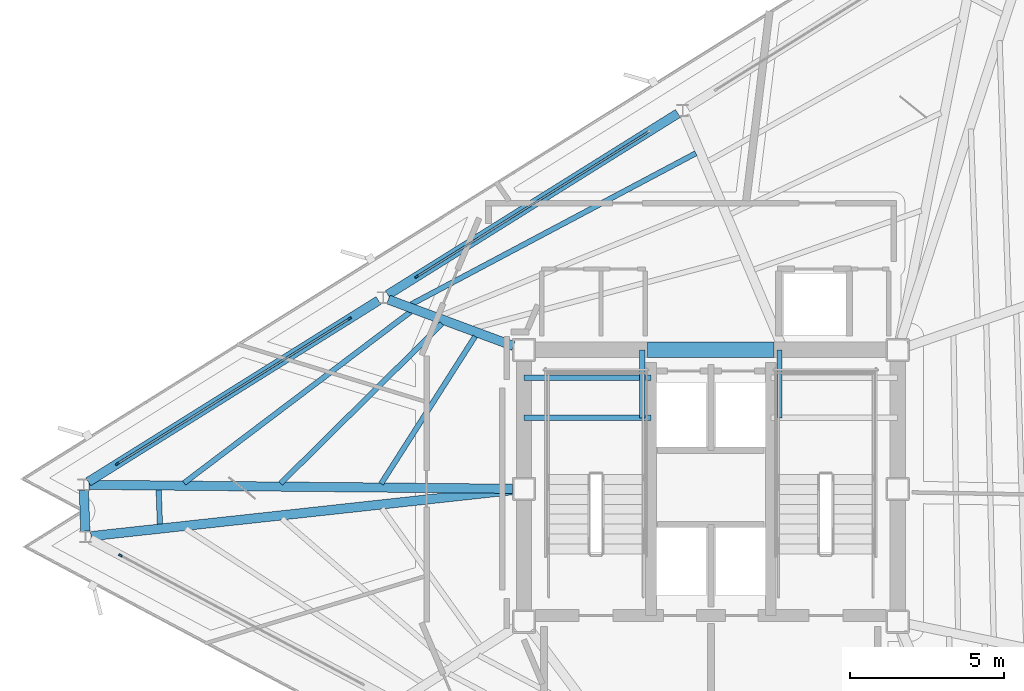
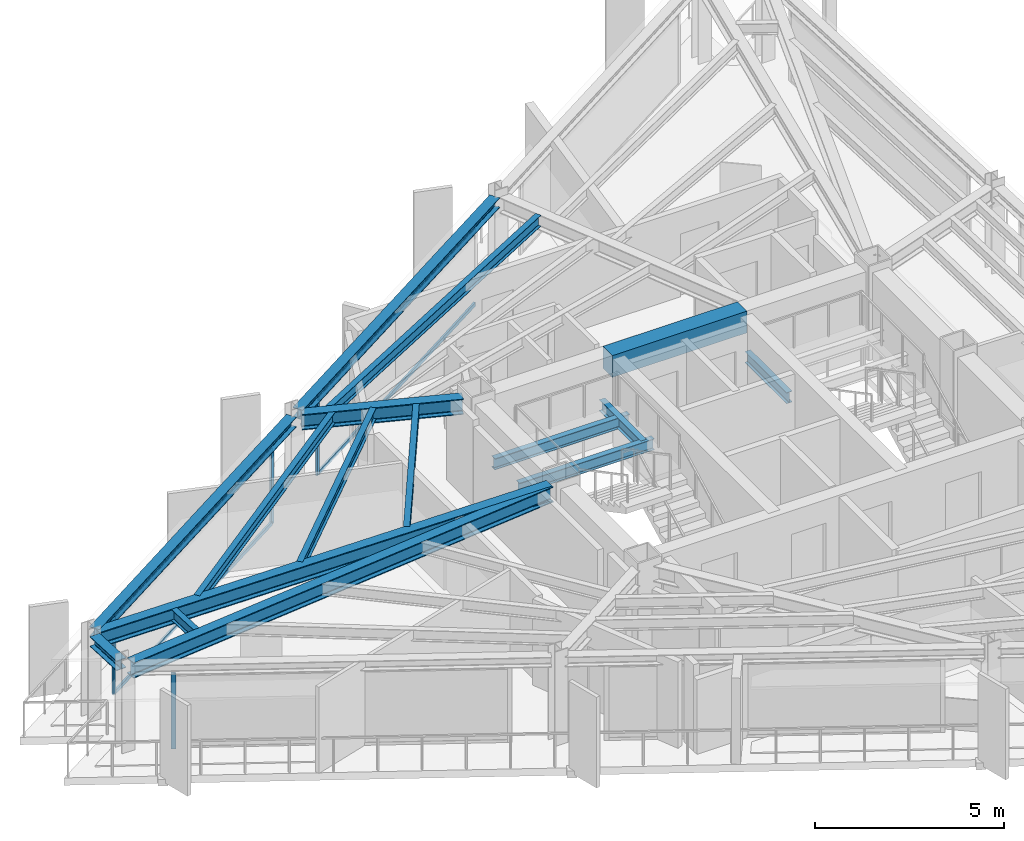
# One storey, part 4 of 13: 16 beams, 8 members, 3 elements without a shape of their own.
"""IFC4 building model written with IfcOpenShell, lengths in metres."""

from ifc_helpers import new_model, si_unit, direction, frame, origin, origin_2d, place, context, subcontext, project, spatial, rectangle, i_section, extrude, material, layer, layer_set, material_profile, profile_set, type_object, element, aggregate, save


model = new_model("IFC4")

# Units and contexts
model_context = context("Model", 3, precision=1e-05, world=origin(), true_north=direction((0.0, 1.0)))
body_context = subcontext(model_context, "Body", "Model", "MODEL_VIEW")
ifc_project = project(units=[si_unit("LENGTHUNIT", "METRE"), si_unit("AREAUNIT", "SQUARE_METRE"), si_unit("VOLUMEUNIT", "CUBIC_METRE"), si_unit("PLANEANGLEUNIT", "RADIAN"), si_unit("MASSUNIT", "GRAM", prefix="KILO")], contexts=[model_context])

# Site, building, storey
site_placement = place(None, origin())
site = spatial("IfcSite", under=ifc_project, at=site_placement, CompositionType="ELEMENT")
building_placement = place(site_placement, origin())
building = spatial("IfcBuilding", under=site, at=building_placement, Name="Rocaltana Carrier Exchange", CompositionType="ELEMENT")
storey_placement = place(building_placement, frame((0.0, 0.0, 208.800048828125)))
storey = spatial("IfcBuildingStorey", under=building, at=storey_placement, Name="L66", CompositionType="ELEMENT", Elevation=208.800048828125)

# Curtain wall, member
ifc_material_1 = material(Name="Aluminium 6063-T6", Category="aluminium")
ifc_layer = layer(ifc_material_1, 0.1201171875)
ifc_layer_set = layer_set([ifc_layer], Name="Aluminium 6063-T6")
curtain_wall_type = type_object("IfcCurtainWallType", Name="High-Altitude Thermal Curtain Wall CW-05", PredefinedType="NOTDEFINED", material=ifc_layer_set)
curtain_wall_1_placement = place(storey_placement, origin())
curtain_wall_1 = element("IfcCurtainWall", 1, at=curtain_wall_1_placement, inside=storey, type_object=curtain_wall_type, Name="L66 CW-05 Run CW-L66-F2S2", PredefinedType="NOTDEFINED")
ifc_material_2 = material(Name="Aluminium 6063-T6", Category="aluminium")
ifc_material_profile_1 = material_profile(ifc_material_2, rectangle(XDim=0.06005859375, YDim=0.1201171875, at=origin_2d()), Name="AL-60X120")
ifc_profile_set_1 = profile_set([ifc_material_profile_1], Name="Aluminium 6063-T6")
member_type_1 = type_object("IfcMemberType", Name="CW-05 Mullion AL-60X120", PredefinedType="MULLION", material=ifc_profile_set_1)
member_1_placement = place(storey_placement, frame((-9.52490234375, 6.870849609375, 0.0), z_axis=(0.0, 0.0, 1.0), x_axis=(0.529920452816, -0.848047353446, 0.0)))
member_1 = element("IfcMember", 2, at=member_1_placement, type_object=member_type_1, Name="CW-05 mullion 2", PredefinedType="MULLION", context=body_context, shape_type="SweptSolid", body=[
    extrude(rectangle(XDim=0.06005859375, YDim=0.1201171875, at=origin_2d()), origin(), (0.0, 0.0, 1.0), 2.447998046875),
])

# Curtain wall, members
curtain_wall_2_placement = place(storey_placement, origin())
curtain_wall_2 = element("IfcCurtainWall", 3, at=curtain_wall_2_placement, inside=storey, type_object=curtain_wall_type, Name="L66 CW-05 Run CW-L66-F2S3", PredefinedType="NOTDEFINED")
member_2_placement = place(storey_placement, frame((-11.696044921875, 5.514404296875, 0.0), z_axis=(0.0, 0.0, 1.0), x_axis=(0.529915422228, -0.848050496896, 0.0)))
member_2 = element("IfcMember", 4, at=member_2_placement, type_object=member_type_1, Name="CW-05 mullion 1", PredefinedType="MULLION", context=body_context, shape_type="SweptSolid", body=[
    extrude(rectangle(XDim=0.06005859375, YDim=0.1201171875, at=origin_2d()), origin(), (0.0, 0.0, 1.0), 2.447998046875),
])
member_3_placement = place(storey_placement, frame((-19.220947265625, 0.812255859375, 0.0), z_axis=(0.0, 0.0, 1.0), x_axis=(0.529915422228, -0.848050496896, 0.0)))
member_3 = element("IfcMember", 5, at=member_3_placement, type_object=member_type_1, Name="CW-05 mullion 2", PredefinedType="MULLION", context=body_context, shape_type="SweptSolid", body=[
    extrude(rectangle(XDim=0.06005859375, YDim=0.1201171875, at=origin_2d()), origin(), (0.0, 0.0, 1.0), 2.447998046875),
])

# Curtain wall, member
curtain_wall_3_placement = place(storey_placement, origin())
curtain_wall_3 = element("IfcCurtainWall", 6, at=curtain_wall_3_placement, inside=storey, type_object=curtain_wall_type, Name="L66 CW-05 Run CW-L66-F3S1", PredefinedType="NOTDEFINED")
member_4_placement = place(storey_placement, frame((-19.11767578125, -2.15087890625, 0.0), z_axis=(0.0, 0.0, 1.0), x_axis=(0.469483388841, 0.882941304732, 0.0)))
member_4 = element("IfcMember", 7, at=member_4_placement, type_object=member_type_1, Name="CW-05 mullion 1", PredefinedType="MULLION", context=body_context, shape_type="SweptSolid", body=[
    extrude(rectangle(XDim=0.06005859375, YDim=0.1201171875, at=origin_2d()), origin(), (0.0, 0.0, 1.0), 2.447998046875),
])
aggregate(curtain_wall_3, [member_4])

# Member
ifc_material_3 = material(Name="Aluminium 6063-T6", Category="aluminium")
ifc_material_profile_2 = material_profile(ifc_material_3, rectangle(XDim=0.06005859375, YDim=0.1201171875, at=origin_2d()), Name="AL-60X120")
ifc_profile_set_2 = profile_set([ifc_material_profile_2], Name="Aluminium 6063-T6")
member_type_2 = type_object("IfcMemberType", Name="CW-05 Transom AL-60X120", PredefinedType="USERDEFINED", material=ifc_profile_set_2)
member_5_placement = place(storey_placement, frame((-2.025390625, 11.55712890625, 0.030029296875), z_axis=(-0.848044988156, -0.529924238042, 0.0), x_axis=(0.529924238042, -0.848044988156, 0.0)))
member_5 = element("IfcMember", 8, at=member_5_placement, type_object=member_type_2, Name="CW-05 transom 1.1", ObjectType="TRANSOM", PredefinedType="USERDEFINED", context=body_context, shape_type="SweptSolid", body=[
    extrude(rectangle(XDim=0.06005859375, YDim=0.1201171875, at=origin_2d()), origin(), (0.0, 0.0, 1.0), 8.813232421875),
])

member_6_placement = place(storey_placement, frame((-2.025390625, 11.55712890625, 2.41796875), z_axis=(-0.848044988156, -0.529924238042, 0.0), x_axis=(0.529924238042, -0.848044988156, 0.0)))
member_6 = element("IfcMember", 9, at=member_6_placement, type_object=member_type_2, Name="CW-05 transom 1.2", ObjectType="TRANSOM", PredefinedType="USERDEFINED", context=body_context, shape_type="SweptSolid", body=[
    extrude(rectangle(XDim=0.06005859375, YDim=0.1201171875, at=origin_2d()), origin(), (0.0, 0.0, 1.0), 8.813232421875),
])

aggregate(curtain_wall_1, [member_1, member_5, member_6])

member_7_placement = place(storey_placement, frame((-11.721435546875, 5.498291015625, 0.030029296875), z_axis=(-0.848057437019, -0.529904315435, 0.0), x_axis=(0.529904315435, -0.848057437019, 0.0)))
member_7 = element("IfcMember", 10, at=member_7_placement, type_object=member_type_2, Name="CW-05 transom 1.1", ObjectType="TRANSOM", PredefinedType="USERDEFINED", context=body_context, shape_type="SweptSolid", body=[
    extrude(rectangle(XDim=0.06005859375, YDim=0.1201171875, at=origin_2d()), origin(), (0.0, 0.0, 1.0), 8.813232421875),
])

member_8_placement = place(storey_placement, frame((-11.721435546875, 5.498291015625, 2.41796875), z_axis=(-0.848057437019, -0.529904315435, 0.0), x_axis=(0.529904315435, -0.848057437019, 0.0)))
member_8 = element("IfcMember", 11, at=member_8_placement, type_object=member_type_2, Name="CW-05 transom 1.2", ObjectType="TRANSOM", PredefinedType="USERDEFINED", context=body_context, shape_type="SweptSolid", body=[
    extrude(rectangle(XDim=0.06005859375, YDim=0.1201171875, at=origin_2d()), origin(), (0.0, 0.0, 1.0), 8.813232421875),
])

aggregate(curtain_wall_2, [member_2, member_3, member_7, member_8])

# Beams
ifc_material_4 = material(Name="Concrete C60/75", Category="concrete")
ifc_material_profile_3 = material_profile(ifc_material_4, rectangle(XDim=0.5, YDim=0.699951171875, at=origin_2d()), Name="RC-BM-500X700")
ifc_profile_set_3 = profile_set([ifc_material_profile_3], Name="Concrete C60/75")
beam_type_1 = type_object("IfcBeamType", Name="Core Coupling Lintel 500x700", PredefinedType="LINTEL", material=ifc_profile_set_3)
beam_1_placement = place(storey_placement, frame((-2.050048828125, 4.5, 2.447998046875), z_axis=(1.0, 0.0, 0.0), x_axis=(0.0, 1.0, 0.0)))
element("IfcBeam", 12, at=beam_1_placement, inside=storey, type_object=beam_type_1, Name="L66 Core Coupling Lintel CL-N", PredefinedType="LINTEL", context=body_context, shape_type="SweptSolid", body=[
    extrude(rectangle(XDim=0.5, YDim=0.699951171875, at=origin_2d()), origin(), (0.0, 0.0, 1.0), 4.10009765625),
])
ifc_material_5 = material(Name="Steel S355", Category="steel")
ifc_material_profile_4 = material_profile(ifc_material_5, i_section(OverallWidth=0.172119140625, OverallDepth=0.35791015625, WebThickness=0.0078125, FlangeThickness=0.01318359375, FilletRadius=0.011962890625, at=origin_2d()), Name="W14X38")
ifc_profile_set_4 = profile_set([ifc_material_profile_4], Name="Steel S355")
beam_type_2 = type_object("IfcBeamType", Name="Floor Joist W14X38", PredefinedType="JOIST", material=ifc_profile_set_4)
for number, where, z_axis, x_axis, name in (
    (13, (-6.050048828125, 2.300048828125, 1.140869140625), (1.0, 0.0, 0.0), (0.0, 1.0, 0.0), "L66 ST-1 Landing Carrier 1"),
    (14, (-6.050048828125, 3.60009765625, 1.140869140625), (1.0, 0.0, 0.0), (0.0, 1.0, 0.0), "L66 ST-1 Landing Carrier 2"),
):
    element("IfcBeam", number, at=place(storey_placement, frame(where, z_axis=z_axis, x_axis=x_axis)), inside=storey, type_object=beam_type_2, Name=name, PredefinedType="JOIST", context=body_context, shape_type="SweptSolid", body=[
        extrude(i_section(OverallWidth=0.172119140625, OverallDepth=0.35791015625, WebThickness=0.0078125, FlangeThickness=0.01318359375, FilletRadius=0.011962890625, at=origin_2d()), origin(), (0.0, 0.0, 1.0), 4.110107421875),
    ])
for number, where, z_axis, x_axis, name in (
    (15, (-2.219970703125, 2.300048828125, 1.140869140625), (0.0, 1.0, 0.0), (-1.0, 0.0, 0.0), "L66 ST-1 Landing Cross Trimmer"),
    (16, (2.219970703125, 2.300048828125, 1.140869140625), (0.0, 1.0, 0.0), (-1.0, 0.0, 0.0), "L66 ST-2 Landing Cross Trimmer"),
):
    element("IfcBeam", number, at=place(storey_placement, frame(where, z_axis=z_axis, x_axis=x_axis)), inside=storey, type_object=beam_type_2, Name=name, PredefinedType="JOIST", context=body_context, shape_type="SweptSolid", body=[
        extrude(i_section(OverallWidth=0.172119140625, OverallDepth=0.35791015625, WebThickness=0.0078125, FlangeThickness=0.01318359375, FilletRadius=0.011962890625, at=origin_2d()), origin(), (0.0, 0.0, 1.0), 2.199951171875),
    ])
beam_2_placement = place(storey_placement, frame((-0.48681640625, 10.8662109375, 2.618896484375), z_axis=(-0.883312459796, -0.468784703643, 0.0), x_axis=(0.468784703643, -0.883312459796, 0.0)))
element("IfcBeam", 17, at=beam_2_placement, inside=storey, type_object=beam_type_2, Name="FJ-L66-06-3", PredefinedType="JOIST", context=body_context, shape_type="SweptSolid", body=[
    extrude(i_section(OverallWidth=0.172119140625, OverallDepth=0.35791015625, WebThickness=0.0078125, FlangeThickness=0.01318359375, FilletRadius=0.011962890625, at=origin_2d()), origin(), (0.0, 0.0, 1.0), 10.439453125),
])
beam_3_placement = place(storey_placement, frame((-7.63232421875, 4.937255859375, 2.618896484375), z_axis=(-0.537927212261, -0.842991289581, 0.0), x_axis=(0.842991289581, -0.537927212261, 0.0)))
element("IfcBeam", 18, at=beam_3_placement, inside=storey, type_object=beam_type_2, Name="FJ-L66-07-1", PredefinedType="JOIST", context=body_context, shape_type="SweptSolid", body=[
    extrude(i_section(OverallWidth=0.172119140625, OverallDepth=0.35791015625, WebThickness=0.0078125, FlangeThickness=0.01318359375, FilletRadius=0.011962890625, at=origin_2d()), origin(), (0.0, 0.0, 1.0), 5.660400390625),
])
beam_4_placement = place(storey_placement, frame((-8.706298828125, 5.3466796875, 2.618896484375), z_axis=(-0.710816811973, -0.703377181757, 0.0), x_axis=(0.703377181757, -0.710816811973, 0.0)))
element("IfcBeam", 19, at=beam_4_placement, inside=storey, type_object=beam_type_2, Name="FJ-L66-07-2", PredefinedType="JOIST", context=body_context, shape_type="SweptSolid", body=[
    extrude(i_section(OverallWidth=0.172119140625, OverallDepth=0.35791015625, WebThickness=0.0078125, FlangeThickness=0.01318359375, FilletRadius=0.011962890625, at=origin_2d()), origin(), (0.0, 0.0, 1.0), 7.350830078125),
])
beam_5_placement = place(storey_placement, frame((-9.72216796875, 5.7333984375, 2.618896484375), z_axis=(-0.797798617064, -0.602924013961, 0.0), x_axis=(0.602924013961, -0.797798617064, 0.0)))
element("IfcBeam", 20, at=beam_5_placement, inside=storey, type_object=beam_type_2, Name="FJ-L66-07-3", PredefinedType="JOIST", context=body_context, shape_type="SweptSolid", body=[
    extrude(i_section(OverallWidth=0.172119140625, OverallDepth=0.35791015625, WebThickness=0.0078125, FlangeThickness=0.01318359375, FilletRadius=0.011962890625, at=origin_2d()), origin(), (0.0, 0.0, 1.0), 9.19189453125),
])
beam_6_placement = place(storey_placement, frame((-17.8779296875, -0.03271484375, 2.618896484375), z_axis=(0.034954429443, -0.999388907214, 0.0), x_axis=(0.999388907214, 0.034954429443, 0.0)))
element("IfcBeam", 21, at=beam_6_placement, inside=storey, type_object=beam_type_2, Name="FJ-L66-08-3", PredefinedType="JOIST", context=body_context, shape_type="SweptSolid", body=[
    extrude(i_section(OverallWidth=0.172119140625, OverallDepth=0.35791015625, WebThickness=0.0078125, FlangeThickness=0.01318359375, FilletRadius=0.011962890625, at=origin_2d()), origin(), (0.0, 0.0, 1.0), 1.110595703125),
])
ifc_material_6 = material(Name="Steel S355", Category="steel")
ifc_material_profile_5 = material_profile(ifc_material_6, i_section(OverallWidth=0.300048828125, OverallDepth=0.320068359375, WebThickness=0.011474609375, FlangeThickness=0.0205078125, FilletRadius=0.027099609375, at=origin_2d()), Name="HEB320")
ifc_profile_set_5 = profile_set([ifc_material_profile_5], Name="Steel S355")
beam_type_3 = type_object("IfcBeamType", Name="Spandrel Edge Beam HEB320", PredefinedType="SPANDREL", material=ifc_profile_set_5)
beam_7_placement = place(storey_placement, frame((-1.066650390625, 12.15625, 2.637939453125), z_axis=(-0.84804288723, -0.529927600167, 0.0), x_axis=(0.529927600167, -0.84804288723, 0.0)))
element("IfcBeam", 22, at=beam_7_placement, inside=storey, type_object=beam_type_3, Name="SP-L66-06", PredefinedType="SPANDREL", context=body_context, shape_type="SweptSolid", body=[
    extrude(i_section(OverallWidth=0.300048828125, OverallDepth=0.320068359375, WebThickness=0.011474609375, FlangeThickness=0.0205078125, FilletRadius=0.027099609375, at=origin_2d()), origin(), (0.0, 0.0, 1.0), 11.074462890625),
])
beam_8_placement = place(storey_placement, frame((-10.7626953125, 6.097412109375, 2.637939453125), z_axis=(-0.848052794435, -0.529911745342, 0.0), x_axis=(0.529911745342, -0.848052794435, 0.0)))
element("IfcBeam", 23, at=beam_8_placement, inside=storey, type_object=beam_type_3, Name="SP-L66-07", PredefinedType="SPANDREL", context=body_context, shape_type="SweptSolid", body=[
    extrude(i_section(OverallWidth=0.300048828125, OverallDepth=0.320068359375, WebThickness=0.011474609375, FlangeThickness=0.0205078125, FilletRadius=0.027099609375, at=origin_2d()), origin(), (0.0, 0.0, 1.0), 11.07421875),
])
beam_9_placement = place(storey_placement, frame((-20.30029296875, -0.04541015625, 2.637939453125), z_axis=(0.034798366397, -0.999394353444, 0.0), x_axis=(0.999394353444, 0.034798366397, 0.0)))
element("IfcBeam", 24, at=beam_9_placement, inside=storey, type_object=beam_type_3, Name="SP-L66-08", PredefinedType="SPANDREL", context=body_context, shape_type="SweptSolid", body=[
    extrude(i_section(OverallWidth=0.300048828125, OverallDepth=0.320068359375, WebThickness=0.011474609375, FlangeThickness=0.0205078125, FilletRadius=0.027099609375, at=origin_2d()), origin(), (0.0, 0.0, 1.0), 1.325927734375),
])
ifc_material_7 = material(Name="Steel S355", Category="steel")
ifc_material_profile_6 = material_profile(ifc_material_7, i_section(OverallWidth=0.300048828125, OverallDepth=0.5, WebThickness=0.014404296875, FlangeThickness=0.028076171875, FilletRadius=0.027099609375, at=origin_2d()), Name="HEB500")
ifc_profile_set_6 = profile_set([ifc_material_profile_6], Name="Steel S355")
beam_type_4 = type_object("IfcBeamType", Name="Upper Radial Girder HEB500", PredefinedType="BEAM", material=ifc_profile_set_6)
beam_10_placement = place(storey_placement, frame((-6.39404296875, 4.627685546875, 2.5478515625), z_axis=(-0.937511191084, 0.34795512152, 0.0), x_axis=(-0.34795512152, -0.937511191084, 0.0)))
element("IfcBeam", 25, at=beam_10_placement, inside=storey, type_object=beam_type_4, Name="RG-L66-07", PredefinedType="BEAM", context=body_context, shape_type="SweptSolid", body=[
    extrude(i_section(OverallWidth=0.300048828125, OverallDepth=0.5, WebThickness=0.014404296875, FlangeThickness=0.028076171875, FilletRadius=0.027099609375, at=origin_2d()), origin(), (0.0, 0.0, 1.0), 4.31787109375),
])
beam_11_placement = place(storey_placement, frame((-6.4169921875, 0.00341796875, 2.5478515625), z_axis=(-0.999955969385, 0.009383991236, 0.0), x_axis=(-0.009383991236, -0.999955969385, 0.0)))
element("IfcBeam", 26, at=beam_11_placement, inside=storey, type_object=beam_type_4, Name="RG-L66-08", PredefinedType="BEAM", context=body_context, shape_type="SweptSolid", body=[
    extrude(i_section(OverallWidth=0.300048828125, OverallDepth=0.5, WebThickness=0.014404296875, FlangeThickness=0.028076171875, FilletRadius=0.027099609375, at=origin_2d()), origin(), (0.0, 0.0, 1.0), 13.710693359375),
])
beam_12_placement = place(storey_placement, frame((-6.414794921875, -0.039794921875, 2.5478515625), z_axis=(-0.994093254209, -0.108529267646, 0.0), x_axis=(0.108529267646, -0.994093254209, 0.0)))
element("IfcBeam", 27, at=beam_12_placement, inside=storey, type_object=beam_type_4, Name="RG-L66-09", PredefinedType="BEAM", context=body_context, shape_type="SweptSolid", body=[
    extrude(i_section(OverallWidth=0.300048828125, OverallDepth=0.5, WebThickness=0.014404296875, FlangeThickness=0.028076171875, FilletRadius=0.027099609375, at=origin_2d()), origin(), (0.0, 0.0, 1.0), 13.735595703125),
])

save(model, "model.ifc")
